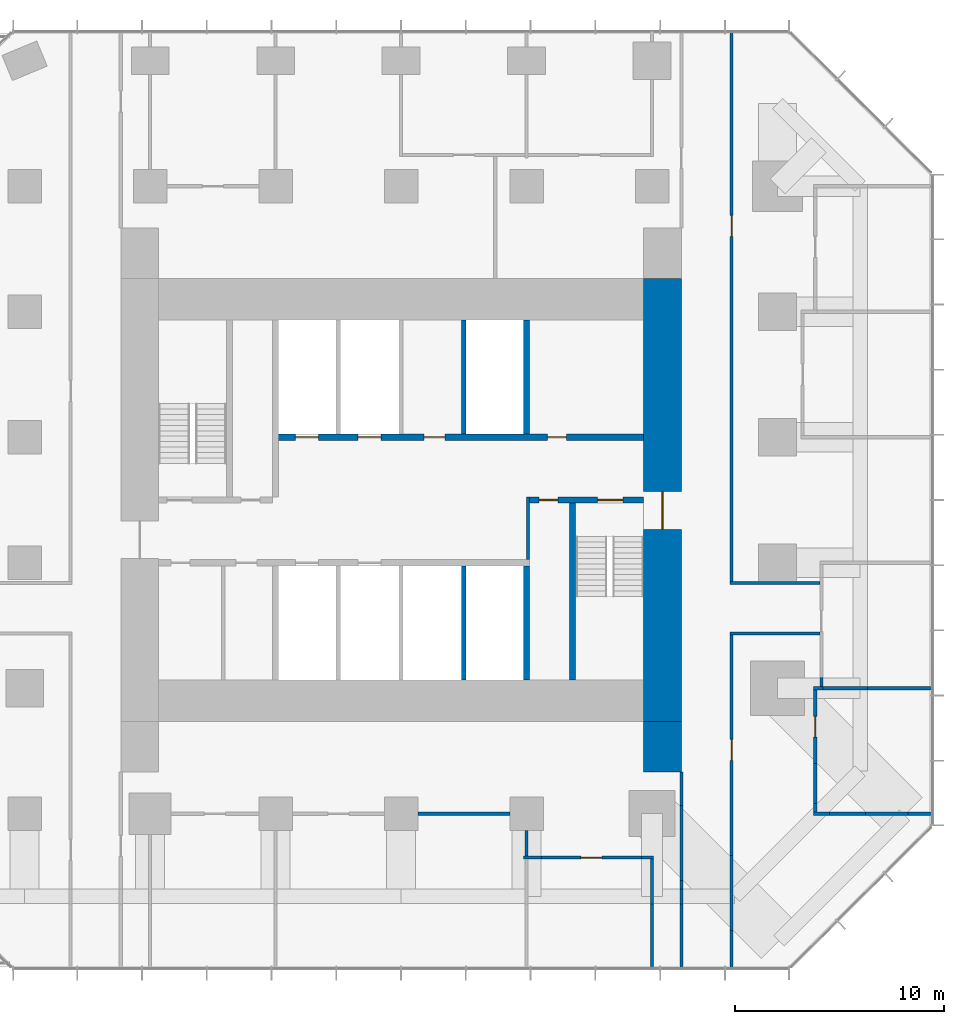
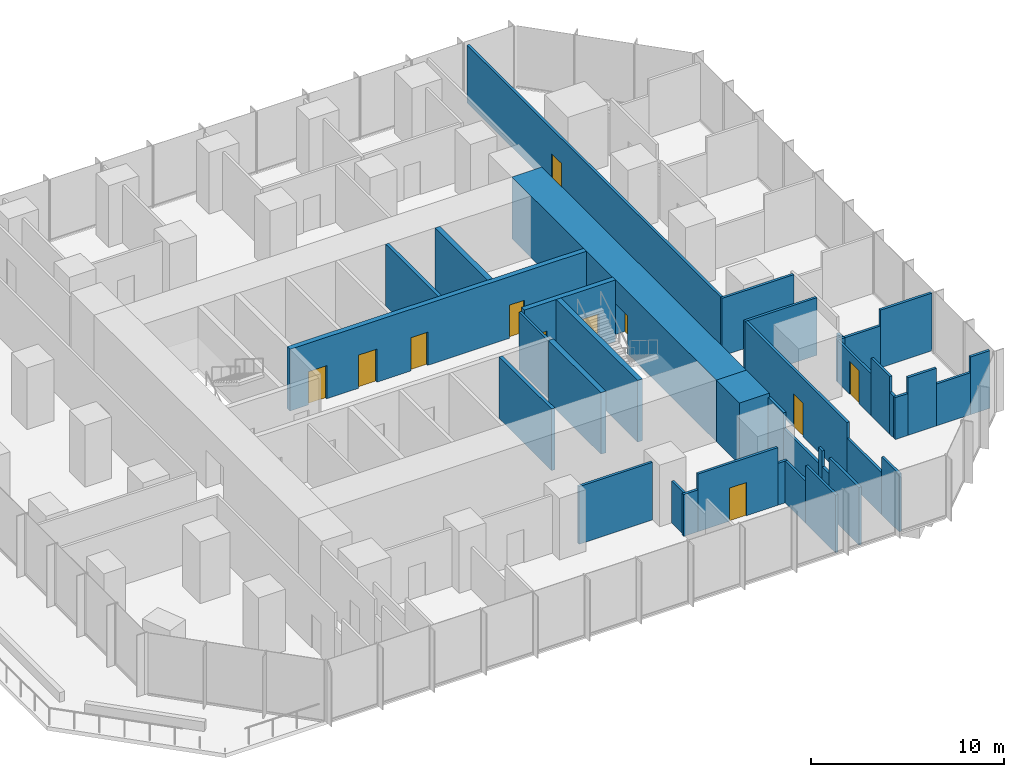
# One storey, part 9 of 11: 39 walls, 11 doors, 11 openings.
"""IFC4 building model written with IfcOpenShell, lengths in metres."""

import ifcopenshell
import ifcopenshell.guid

model = None  # the IFC model being written
_history = None  # IfcOwnerHistory: only IFC2X3 demands one
_inside = {}  # id of a spatial element -> (the spatial element, [elements in it])
_under = {}  # id of a project, library or spatial element -> (it, [spatial elements below it])
_declared = {}  # id of a project -> (the project, [libraries it declares])
_typed = {}  # id of a type object -> (the type object, [elements of that type])
_made_of = {}  # id of a material, layer set ... -> (it, [elements and type objects made of it])


def new_model(schema):
    """Start an empty IFC model of exactly this schema.

    Asked for "IFC4X3", IfcOpenShell would pick the latest addendum, in which some entities
    have other attributes; the version numbers below select the first issue.
    IFC2X3 requires an IfcOwnerHistory on every rooted entity: one is made here for all.
    """
    global model, _history
    if schema == "IFC4X3":
        model = ifcopenshell.file(schema_version=(4, 3, 0, 0))
    else:
        model = ifcopenshell.file(schema=schema)
    _inside.clear()
    _under.clear()
    _declared.clear()
    _typed.clear()
    _made_of.clear()
    _history = None
    if model.schema == "IFC2X3":
        org = make("IfcOrganization", Name="unknown")
        user = make(
            "IfcPersonAndOrganization",
            ThePerson=make("IfcPerson", FamilyName="unknown"),
            TheOrganization=org,
        )
        app = make(
            "IfcApplication",
            ApplicationDeveloper=org,
            Version="unknown",
            ApplicationFullName="unknown",
            ApplicationIdentifier="unknown",
        )
        _history = make(
            "IfcOwnerHistory",
            OwningUser=user,
            OwningApplication=app,
            ChangeAction="ADDED",
            CreationDate=0,
        )
    return model


def make(cls, **values):
    """One entity of the class cls with the attributes given. An attribute that is None is left unset."""
    return model.create_entity(
        cls, **{name: value for name, value in values.items() if value is not None}
    )


def rooted(cls, **values):
    """An entity with a GlobalId (a new one), such as an element, a storey or a relation."""
    return make(cls, GlobalId=ifcopenshell.guid.new(), OwnerHistory=_history, **values)


def si_unit(unit_type, name, prefix=None):
    """IfcSIUnit, for example si_unit("LENGTHUNIT", "METRE", prefix="MILLI")."""
    return make("IfcSIUnit", UnitType=unit_type, Prefix=prefix, Name=name)


def assignment(units):
    """IfcUnitAssignment: the units of a project."""
    return None if units is None else make("IfcUnitAssignment", Units=units)


def point(xyz):
    """IfcCartesianPoint."""
    return None if xyz is None else make("IfcCartesianPoint", Coordinates=xyz)


def direction(xyz):
    """IfcDirection."""
    return None if xyz is None else make("IfcDirection", DirectionRatios=xyz)


def frame(location, z_axis=None, x_axis=None):
    """IfcAxis2Placement3D, a coordinate frame: its origin and axes. An axis left out is left unset."""
    return make(
        "IfcAxis2Placement3D",
        Location=point(location),
        Axis=direction(z_axis),
        RefDirection=direction(x_axis),
    )


def frame_2d(location, x_axis=None):
    """IfcAxis2Placement2D, a coordinate frame in the plane: its origin and x axis."""
    return make(
        "IfcAxis2Placement2D", Location=point(location), RefDirection=direction(x_axis)
    )


def origin():
    """The frame at (0, 0, 0) with its axes left unset."""
    return frame((0.0, 0.0, 0.0))


def place(relative_to, where):
    """IfcLocalPlacement: puts the frame where relative to a parent placement (None: the world)."""
    return make(
        "IfcLocalPlacement", PlacementRelTo=relative_to, RelativePlacement=where
    )


def context(
    kind, dimensions, precision=None, world=None, true_north=None, identifier=None
):
    """IfcGeometricRepresentationContext, for example the 3D "Model" context."""
    return make(
        "IfcGeometricRepresentationContext",
        ContextIdentifier=identifier,
        ContextType=kind,
        CoordinateSpaceDimension=dimensions,
        Precision=precision,
        WorldCoordinateSystem=world,
        TrueNorth=true_north,
    )


def subcontext(parent, identifier, kind, view, scale=None):
    """IfcGeometricRepresentationSubContext, for example "Body" below "Model"."""
    return make(
        "IfcGeometricRepresentationSubContext",
        ContextIdentifier=identifier,
        ContextType=kind,
        ParentContext=parent,
        TargetScale=scale,
        TargetView=view,
    )


def project(units=None, contexts=None):
    """IfcProject with its units and contexts."""
    return rooted(
        "IfcProject",
        Name="project",
        RepresentationContexts=contexts,
        UnitsInContext=assignment(units),
    )


def spatial(cls, under=None, at=None, **own):
    """A site, building, storey or space (cls), placed at a placement, below another one or the project."""
    s = rooted(cls, ObjectPlacement=at, **own)
    if under is not None:
        _under.setdefault(under.id(), (under, []))[1].append(s)
    return s


def profile(cls, at=None, kind="AREA", **sizes):
    """A parametric profile (cls). Its sizes go by their IFC names, for example OverallWidth=200.0."""
    return make(cls, ProfileType=kind, Position=at, **sizes)


def rectangle(**sizes):
    """IfcRectangleProfileDef."""
    return profile("IfcRectangleProfileDef", **sizes)


def extrude(swept, where, along, depth):
    """IfcExtrudedAreaSolid: the profile swept, set in the frame where, extruded along a direction by depth."""
    return make(
        "IfcExtrudedAreaSolid",
        SweptArea=swept,
        Position=where,
        ExtrudedDirection=direction(along),
        Depth=depth,
    )


def shape(context_of_items, identifier, shape_type, items):
    """IfcShapeRepresentation: the items that make up one representation, for example the "Body"."""
    return make(
        "IfcShapeRepresentation",
        ContextOfItems=context_of_items,
        RepresentationIdentifier=identifier,
        RepresentationType=shape_type,
        Items=items,
    )


def material(Name=None, Category=None):
    """IfcMaterial."""
    return make("IfcMaterial", Name=Name, Category=Category)


def layer(
    of_material, thickness, ventilated=None, Name=None, Category=None, Priority=None
):
    """IfcMaterialLayer: one layer of a wall or slab, of a material (None: an air gap)."""
    return make(
        "IfcMaterialLayer",
        Material=of_material,
        LayerThickness=thickness,
        IsVentilated=ventilated,
        Name=Name,
        Category=Category,
        Priority=Priority,
    )


def layer_set(layers, Name=None):
    """IfcMaterialLayerSet."""
    return make("IfcMaterialLayerSet", MaterialLayers=layers, LayerSetName=Name)


def made_of(thing, what):
    """Note that an element or type object is made of a material, layer set ...; save() writes the relation."""
    if what is not None:
        _made_of.setdefault(what.id(), (what, []))[1].append(thing)
    return thing


def type_object(cls, material=None, **own):
    """A type object (cls), such as IfcWallType, which elements share."""
    return made_of(rooted(cls, **own), material)


def element(
    cls,
    number,
    at=None,
    inside=None,
    cuts=None,
    type_object=None,
    material=None,
    context=None,
    identifier="Body",
    shape_type=None,
    held_by="IfcProductDefinitionShape",
    body=None,
    shapes=None,
    **own,
):
    """One element of the class cls, such as IfcWall. Its Tag is "e" and its number.

    at: its placement. inside: the storey or other place that contains it. cuts: it is an
    opening in that element (IfcRelVoidsElement). A single representation is given by context,
    identifier, shape_type and body (its items); several are given by shapes. held_by: the class
    of the entity that holds the representations. save() writes the other relations.
    """
    e = rooted(cls, Tag="e%d" % number, ObjectPlacement=at, **own)
    if body is not None:
        shapes = [shape(context, identifier, shape_type, body)]
    if shapes is not None:
        e.Representation = make(held_by, Representations=shapes)
    if inside is not None:
        _inside.setdefault(inside.id(), (inside, []))[1].append(e)
    if cuts is not None:
        rooted(
            "IfcRelVoidsElement", RelatingBuildingElement=cuts, RelatedOpeningElement=e
        )
    if type_object is not None:
        _typed.setdefault(type_object.id(), (type_object, []))[1].append(e)
    return made_of(e, material)


def fill(opening, filler):
    """IfcRelFillsElement: the door or window that sits in an opening."""
    return rooted(
        "IfcRelFillsElement",
        RelatingOpeningElement=opening,
        RelatedBuildingElement=filler,
    )


def aggregate(whole, parts):
    """IfcRelAggregates: a whole, such as a stair, and the parts it consists of."""
    return rooted("IfcRelAggregates", RelatingObject=whole, RelatedObjects=parts)


def save(model, path):
    """Write the relations noted so far, then the file.

    IfcRelAggregates (storeys below a building ...), IfcRelContainedInSpatialStructure (elements
    in a storey), IfcRelDefinesByType, IfcRelAssociatesMaterial and IfcRelDeclares: one each for
    every whole, place, type object, material and project.
    """
    for whole, parts in _under.values():
        aggregate(whole, parts)
    for where, things in _inside.values():
        rooted(
            "IfcRelContainedInSpatialStructure",
            RelatedElements=things,
            RelatingStructure=where,
        )
    for kind, things in _typed.values():
        rooted("IfcRelDefinesByType", RelatedObjects=things, RelatingType=kind)
    for what, things in _made_of.values():
        rooted("IfcRelAssociatesMaterial", RelatedObjects=things, RelatingMaterial=what)
    for by, libraries in _declared.values():
        rooted("IfcRelDeclares", RelatingContext=by, RelatedDefinitions=libraries)
    model.write(path)


model = new_model("IFC4")

# Units and contexts
model_context = context("Model", 3, precision=1e-05, world=origin(), true_north=direction((0.0, 1.0)))
body_context = subcontext(model_context, "Body", "Model", "MODEL_VIEW")
ifc_project = project(units=[si_unit("LENGTHUNIT", "METRE"), si_unit("AREAUNIT", "SQUARE_METRE"), si_unit("VOLUMEUNIT", "CUBIC_METRE"), si_unit("PLANEANGLEUNIT", "RADIAN"), si_unit("MASSUNIT", "GRAM", prefix="KILO")], contexts=[model_context])

# Site, building, storey
site_placement = place(None, origin())
site = spatial("IfcSite", under=ifc_project, at=site_placement, CompositionType="ELEMENT")
building_placement = place(site_placement, origin())
building = spatial("IfcBuilding", under=site, at=building_placement, Name="Highveld Stack Headquarters", CompositionType="ELEMENT")
storey_placement = place(building_placement, frame((0.0, 0.0, 140.60009765625)))
storey = spatial("IfcBuildingStorey", under=building, at=storey_placement, Name="L34", CompositionType="ELEMENT", Elevation=140.60009765625)

# Wall, opening, door
ifc_material_1 = material(Name="Concrete C60/75", Category="concrete")
ifc_layer_1 = layer(ifc_material_1, 1.800048828125)
ifc_layer_set_1 = layer_set([ifc_layer_1], Name="Concrete C60/75")
wall_type_1 = type_object("IfcWallType", Name="CORE WALL 1800 C60/75", PredefinedType="SHEAR", material=ifc_layer_set_1)
wall_1_placement = place(storey_placement, frame((18.5, -7.60009765625, 0.0), z_axis=(0.0, 0.0, 1.0), x_axis=(0.0, 1.0, 0.0)))
wall_1 = element("IfcWall", 1, at=wall_1_placement, inside=storey, type_object=wall_type_1, Name="Core wall E L34", PredefinedType="SHEAR", context=body_context, shape_type="SweptSolid", body=[
    extrude(rectangle(XDim=21.2001953125, YDim=1.800048828125, at=frame_2d((10.60009765625, 0.0))), origin(), (0.0, 0.0, 1.0), 3.89990234375),
])
opening_1_placement = place(wall_1_placement, frame((9.199951171875, 0.0, 0.0)))
opening_1 = element("IfcOpeningElement", 2, at=opening_1_placement, cuts=wall_1, Name="Opening L34-03", PredefinedType="OPENING", context=body_context, shape_type="SweptSolid", body=[
    extrude(rectangle(XDim=1.800048828125, YDim=2.39990234375, at=frame_2d((0.89990234375, 1.199951171875))), frame((0.0, 0.909912109375, 0.0), z_axis=(0.0, -1.0, 0.0), x_axis=(1.0, 0.0, 0.0)), (0.0, 0.0, 1.0), 1.820068359375),
])
ifc_material_2 = material(Name="Steel fire door", Category="steel")
door_type_1 = type_object("IfcDoorType", Name="LOBBY FIRE DOOR D4 1800x2400", OperationType="DOUBLE_DOOR_SINGLE_SWING", PredefinedType="DOOR", material=ifc_material_2)
door_1_placement = place(opening_1_placement, origin())
door_1 = element("IfcDoor", 3, at=door_1_placement, inside=storey, type_object=door_type_1, Name="Core east door L34", OperationType="DOUBLE_DOOR_SINGLE_SWING", OverallHeight=2.39990234375, OverallWidth=1.800048828125, PredefinedType="DOOR", context=body_context, shape_type="SweptSolid", body=[
    extrude(rectangle(XDim=1.800048828125, YDim=2.39990234375, at=frame_2d((0.89990234375, 1.199951171875))), frame((0.0, 0.02490234375, 0.0), z_axis=(0.0, -1.0, 0.0), x_axis=(1.0, 0.0, 0.0)), (0.0, 0.0, 1.0), 0.050048828125),
])
fill(opening_1, door_1)

# Wall, openings, doors
ifc_material_3 = material(Name="Concrete C60/75", Category="concrete")
ifc_layer_2 = layer(ifc_material_3, 0.300048828125)
ifc_layer_set_2 = layer_set([ifc_layer_2], Name="Concrete C60/75")
wall_type_2 = type_object("IfcWallType", Name="CORE WALL 300 C60/75", PredefinedType="SHEAR", material=ifc_layer_set_2)
wall_2_placement = place(storey_placement, frame((12.14990234375, 3.0, 0.0), z_axis=(0.0, 0.0, 1.0), x_axis=(1.0, 0.0, 0.0)))
wall_2 = element("IfcWall", 4, at=wall_2_placement, inside=storey, type_object=wall_type_2, Name="Core wall I-Y3E L34", PredefinedType="SHEAR", context=body_context, shape_type="SweptSolid", body=[
    extrude(rectangle(XDim=5.4501953125, YDim=0.300048828125, at=frame_2d((2.72509765625, 0.0))), origin(), (0.0, 0.0, 1.0), 3.89990234375),
])
opening_2_placement = place(wall_2_placement, frame((3.25, 0.0, 0.0)))
opening_2 = element("IfcOpeningElement", 5, at=opening_2_placement, cuts=wall_2, Name="Opening L34-06", PredefinedType="OPENING", context=body_context, shape_type="SweptSolid", body=[
    extrude(rectangle(XDim=1.199951171875, YDim=2.10009765625, at=frame_2d((0.60009765625, 1.050048828125))), frame((0.0, 0.159912109375, 0.0), z_axis=(0.0, -1.0, 0.0), x_axis=(1.0, 0.0, 0.0)), (0.0, 0.0, 1.0), 0.320068359375),
])
opening_3_placement = place(wall_2_placement, frame((0.449951171875, 0.0, 0.0)))
opening_3 = element("IfcOpeningElement", 6, at=opening_3_placement, cuts=wall_2, Name="Opening L34-07", PredefinedType="OPENING", context=body_context, shape_type="SweptSolid", body=[
    extrude(rectangle(XDim=0.89990234375, YDim=2.10009765625, at=frame_2d((0.449951171875, 1.050048828125))), frame((0.0, 0.159912109375, 0.0), z_axis=(0.0, -1.0, 0.0), x_axis=(1.0, 0.0, 0.0)), (0.0, 0.0, 1.0), 0.320068359375),
])
ifc_material_4 = material(Name="Steel fire door", Category="steel")
door_type_2 = type_object("IfcDoorType", Name="RISER ACCESS DOOR D5 900x2100", OperationType="SINGLE_SWING_LEFT", PredefinedType="DOOR", material=ifc_material_4)
door_2_placement = place(opening_3_placement, origin())
door_2 = element("IfcDoor", 7, at=door_2_placement, inside=storey, type_object=door_type_2, Name="Riser R2 door L34", OperationType="SINGLE_SWING_LEFT", OverallHeight=2.10009765625, OverallWidth=0.89990234375, PredefinedType="DOOR", context=body_context, shape_type="SweptSolid", body=[
    extrude(rectangle(XDim=0.89990234375, YDim=2.10009765625, at=frame_2d((0.449951171875, 1.050048828125))), frame((0.0, 0.02490234375, 0.0), z_axis=(0.0, -1.0, 0.0), x_axis=(1.0, 0.0, 0.0)), (0.0, 0.0, 1.0), 0.050048828125),
])
fill(opening_3, door_2)
ifc_material_5 = material(Name="Steel fire door", Category="steel")
door_type_3 = type_object("IfcDoorType", Name="STAIR FIRE DOOR D3 1200x2100", OperationType="SINGLE_SWING_LEFT", PredefinedType="DOOR", material=ifc_material_5)
door_3_placement = place(opening_2_placement, origin())
door_3 = element("IfcDoor", 8, at=door_3_placement, inside=storey, type_object=door_type_3, Name="Stair S2 door L34", OperationType="SINGLE_SWING_RIGHT", OverallHeight=2.10009765625, OverallWidth=1.199951171875, PredefinedType="DOOR", context=body_context, shape_type="SweptSolid", body=[
    extrude(rectangle(XDim=1.199951171875, YDim=2.10009765625, at=frame_2d((0.60009765625, 1.050048828125))), frame((0.0, 0.02490234375, 0.0), z_axis=(0.0, -1.0, 0.0), x_axis=(1.0, 0.0, 0.0)), (0.0, 0.0, 1.0), 0.050048828125),
])
fill(opening_2, door_3)

wall_3_placement = place(storey_placement, frame((-0.14990234375, 6.0, 0.0), z_axis=(0.0, 0.0, 1.0), x_axis=(1.0, 0.0, 0.0)))
wall_3 = element("IfcWall", 9, at=wall_3_placement, inside=storey, type_object=wall_type_2, Name="Core wall I-Y6 L34", PredefinedType="SHEAR", context=body_context, shape_type="SweptSolid", body=[
    extrude(rectangle(XDim=17.75, YDim=0.300048828125, at=frame_2d((8.875, 0.0))), origin(), (0.0, 0.0, 1.0), 3.89990234375),
])
opening_4_placement = place(wall_3_placement, frame((13.14990234375, 0.0, 0.0)))
opening_4 = element("IfcOpeningElement", 10, at=opening_4_placement, cuts=wall_3, Name="Opening L34-10", PredefinedType="OPENING", context=body_context, shape_type="SweptSolid", body=[
    extrude(rectangle(XDim=0.89990234375, YDim=2.10009765625, at=frame_2d((0.449951171875, 1.050048828125))), frame((0.0, 0.159912109375, 0.0), z_axis=(0.0, -1.0, 0.0), x_axis=(1.0, 0.0, 0.0)), (0.0, 0.0, 1.0), 0.320068359375),
])
opening_5_placement = place(wall_3_placement, frame((7.25, 0.0, 0.0)))
opening_5 = element("IfcOpeningElement", 11, at=opening_5_placement, cuts=wall_3, Name="Opening L34-11", PredefinedType="OPENING", context=body_context, shape_type="SweptSolid", body=[
    extrude(rectangle(XDim=1.0, YDim=2.10009765625, at=frame_2d((0.5, 1.050048828125))), frame((0.0, 0.159912109375, 0.0), z_axis=(0.0, -1.0, 0.0), x_axis=(1.0, 0.0, 0.0)), (0.0, 0.0, 1.0), 0.320068359375),
])
opening_6_placement = place(wall_3_placement, frame((1.10009765625, 0.0, 0.0)))
opening_6 = element("IfcOpeningElement", 12, at=opening_6_placement, cuts=wall_3, Name="Opening LD", PredefinedType="OPENING", context=body_context, shape_type="SweptSolid", body=[
    extrude(rectangle(XDim=1.10009765625, YDim=2.10009765625, at=frame_2d((0.550048828125, 1.050048828125))), frame((0.0, 0.159912109375, 0.0), z_axis=(0.0, -1.0, 0.0), x_axis=(1.0, 0.0, 0.0)), (0.0, 0.0, 1.0), 0.320068359375),
])
opening_7_placement = place(wall_3_placement, frame((4.10009765625, 0.0, 0.0)))
opening_7 = element("IfcOpeningElement", 13, at=opening_7_placement, cuts=wall_3, Name="Opening LD", PredefinedType="OPENING", context=body_context, shape_type="SweptSolid", body=[
    extrude(rectangle(XDim=1.10009765625, YDim=2.10009765625, at=frame_2d((0.550048828125, 1.050048828125))), frame((0.0, 0.159912109375, 0.0), z_axis=(0.0, -1.0, 0.0), x_axis=(1.0, 0.0, 0.0)), (0.0, 0.0, 1.0), 0.320068359375),
])
ifc_material_6 = material(Name="Steel fire door", Category="steel")
door_type_4 = type_object("IfcDoorType", Name="CORE ROOM FIRE DOOR D14 1000x2100", OperationType="SINGLE_SWING_LEFT", PredefinedType="DOOR", material=ifc_material_6)
door_4_placement = place(opening_5_placement, origin())
door_4 = element("IfcDoor", 14, at=door_4_placement, inside=storey, type_object=door_type_4, Name="Capped A 1 door L34", OperationType="SINGLE_SWING_LEFT", OverallHeight=2.10009765625, OverallWidth=1.0, PredefinedType="DOOR", context=body_context, shape_type="SweptSolid", body=[
    extrude(rectangle(XDim=1.0, YDim=2.10009765625, at=frame_2d((0.5, 1.050048828125))), frame((0.0, 0.02490234375, 0.0), z_axis=(0.0, -1.0, 0.0), x_axis=(1.0, 0.0, 0.0)), (0.0, 0.0, 1.0), 0.050048828125),
])
fill(opening_5, door_4)
ifc_material_7 = material(Name="Stainless steel lift landing door", Category="steel")
door_type_5 = type_object("IfcDoorType", Name="LIFT LANDING DOOR LD 1100x2100", OperationType="DOUBLE_DOOR_SLIDING", PredefinedType="USERDEFINED", material=ifc_material_7)
door_5_placement = place(opening_6_placement, origin())
door_5 = element("IfcDoor", 15, at=door_5_placement, inside=storey, type_object=door_type_5, Name="Lift landing door FF1 L34", ObjectType="LIFT LANDING DOOR", OperationType="DOUBLE_DOOR_SLIDING", OverallHeight=2.10009765625, OverallWidth=1.10009765625, PredefinedType="USERDEFINED", context=body_context, shape_type="SweptSolid", body=[
    extrude(rectangle(XDim=1.10009765625, YDim=2.10009765625, at=frame_2d((0.550048828125, 1.050048828125))), frame((0.0, 0.02490234375, 0.0), z_axis=(0.0, -1.0, 0.0), x_axis=(1.0, 0.0, 0.0)), (0.0, 0.0, 1.0), 0.050048828125),
])
fill(opening_6, door_5)
door_6_placement = place(opening_7_placement, origin())
door_6 = element("IfcDoor", 16, at=door_6_placement, inside=storey, type_object=door_type_5, Name="Lift landing door FF2 L34", ObjectType="LIFT LANDING DOOR", OperationType="DOUBLE_DOOR_SLIDING", OverallHeight=2.10009765625, OverallWidth=1.10009765625, PredefinedType="USERDEFINED", context=body_context, shape_type="SweptSolid", body=[
    extrude(rectangle(XDim=1.10009765625, YDim=2.10009765625, at=frame_2d((0.550048828125, 1.050048828125))), frame((0.0, 0.02490234375, 0.0), z_axis=(0.0, -1.0, 0.0), x_axis=(1.0, 0.0, 0.0)), (0.0, 0.0, 1.0), 0.050048828125),
])
fill(opening_7, door_6)
ifc_material_8 = material(Name="Timber door, painted", Category="wood")
door_type_6 = type_object("IfcDoorType", Name="WC DOOR D1 900x2100", OperationType="SINGLE_SWING_LEFT", PredefinedType="DOOR", material=ifc_material_8)
door_7_placement = place(opening_4_placement, origin())
door_7 = element("IfcDoor", 17, at=door_7_placement, inside=storey, type_object=door_type_6, Name="Male WC door L34", OperationType="SINGLE_SWING_RIGHT", OverallHeight=2.10009765625, OverallWidth=0.89990234375, PredefinedType="DOOR", context=body_context, shape_type="SweptSolid", body=[
    extrude(rectangle(XDim=0.89990234375, YDim=2.10009765625, at=frame_2d((0.449951171875, 1.050048828125))), frame((0.0, 0.02490234375, 0.0), z_axis=(0.0, -1.0, 0.0), x_axis=(1.0, 0.0, 0.0)), (0.0, 0.0, 1.0), 0.050048828125),
])
fill(opening_4, door_7)

# Walls
for number, where, z_axis, x_axis, name in (
    (18, (12.0, -5.60009765625, 0.0), (0.0, 0.0, 1.0), (0.0, 1.0, 0.0), "Core wall I-X12S L34"),
    (19, (12.0, 6.14990234375, 0.0), (0.0, 0.0, 1.0), (0.0, 1.0, 0.0), "Core wall I-X12N L34"),
):
    element("IfcWall", number, at=place(storey_placement, frame(where, z_axis=z_axis, x_axis=x_axis)), inside=storey, type_object=wall_type_2, Name=name, PredefinedType="SHEAR", context=body_context, shape_type="SweptSolid", body=[
        extrude(rectangle(XDim=5.4501953125, YDim=0.300048828125, at=frame_2d((2.72509765625, 0.0))), origin(), (0.0, 0.0, 1.0), 3.89990234375),
    ])
wall_4_placement = place(storey_placement, frame((14.199951171875, -5.60009765625, 0.0), z_axis=(0.0, 0.0, 1.0), x_axis=(0.0, 1.0, 0.0)))
element("IfcWall", 20, at=wall_4_placement, inside=storey, type_object=wall_type_2, Name="Core wall I-RE L34", PredefinedType="SHEAR", context=body_context, shape_type="SweptSolid", body=[
    extrude(rectangle(XDim=8.4501953125, YDim=0.300048828125, at=frame_2d((4.22509765625, 0.0))), origin(), (0.0, 0.0, 1.0), 3.89990234375),
])
ifc_material_9 = material(Name="Concrete C60/75", Category="concrete")
ifc_layer_3 = layer(ifc_material_9, 1.800048828125)
ifc_layer_set_3 = layer_set([ifc_layer_3], Name="Concrete C60/75")
wall_type_3 = type_object("IfcWallType", Name="CORE WING WALL 1800 C60/75", PredefinedType="SHEAR", material=ifc_layer_set_3)
wall_5_placement = place(storey_placement, frame((18.5, -10.0, 0.0), z_axis=(0.0, 0.0, 1.0), x_axis=(0.0, 1.0, 0.0)))
element("IfcWall", 21, at=wall_5_placement, inside=storey, type_object=wall_type_3, Name="Core wing wall ES L34", PredefinedType="SHEAR", context=body_context, shape_type="SweptSolid", body=[
    extrude(rectangle(XDim=2.39990234375, YDim=1.800048828125, at=frame_2d((1.199951171875, 0.0))), origin(), (0.0, 0.0, 1.0), 3.89990234375),
])
ifc_material_10 = material(Name="Concrete blockwork, plastered", Category="masonry")
ifc_layer_4 = layer(ifc_material_10, 0.14990234375)
ifc_layer_set_4 = layer_set([ifc_layer_4], Name="Concrete blockwork, plastered")
wall_type_4 = type_object("IfcWallType", Name="FIRE PARTITION 150 BLOCKWORK", PredefinedType="PARTITIONING", material=ifc_layer_set_4)
wall_6_placement = place(storey_placement, frame((12.074951171875, 0.14990234375, 0.0), z_axis=(0.0, 0.0, 1.0), x_axis=(0.0, 1.0, 0.0)))
element("IfcWall", 22, at=wall_6_placement, inside=storey, type_object=wall_type_4, Name="Riser R2 enclosure L34", PredefinedType="PARTITIONING", context=body_context, shape_type="SweptSolid", body=[
    extrude(rectangle(XDim=3.0, YDim=0.14990234375, at=frame_2d((1.5, 0.0))), origin(), (0.0, 0.0, 1.0), 3.64990234375),
])
ifc_material_11 = material(Name="Concrete blockwork, fair-faced", Category="masonry")
ifc_layer_5 = layer(ifc_material_11, 0.199951171875)
ifc_layer_set_5 = layer_set([ifc_layer_5], Name="Concrete blockwork, fair-faced")
wall_type_5 = type_object("IfcWallType", Name="LIFT SHAFT ENCLOSURE WALL 200 BLOCKWORK", PredefinedType="SOLIDWALL", material=ifc_layer_set_5)
for number, where, z_axis, x_axis, name in (
    (23, (9.0, 6.14990234375, 0.0), (0.0, 0.0, 1.0), (0.0, 1.0, 0.0), "Lift shaft wall L34"),
    (24, (9.0, -5.60009765625, 0.0), (0.0, 0.0, 1.0), (0.0, 1.0, 0.0), "Lift shaft wall L34"),
):
    element("IfcWall", number, at=place(storey_placement, frame(where, z_axis=z_axis, x_axis=x_axis)), inside=storey, type_object=wall_type_5, Name=name, PredefinedType="SOLIDWALL", context=body_context, shape_type="SweptSolid", body=[
        extrude(rectangle(XDim=5.4501953125, YDim=0.199951171875, at=frame_2d((2.72509765625, 0.0))), origin(), (0.0, 0.0, 1.0), 3.89990234375),
    ])
ifc_material_12 = material(Name="Gypsum plasterboard on steel studs", Category="steel")
ifc_layer_6 = layer(ifc_material_12, 0.14990234375)
ifc_layer_set_6 = layer_set([ifc_layer_6], Name="Gypsum plasterboard on steel studs")
wall_type_6 = type_object("IfcWallType", Name="PARTITION 150 PLASTERBOARD", PredefinedType="PARTITIONING", material=ifc_layer_set_6)
wall_7_placement = place(storey_placement, frame((11.85009765625, -14.10009765625, 0.0), z_axis=(0.0, 0.0, 1.0), x_axis=(1.0, 0.0, 0.0)))
element("IfcWall", 25, at=wall_7_placement, inside=storey, type_object=wall_type_6, Name="Partition Focus room L34", PredefinedType="PARTITIONING", context=body_context, shape_type="SweptSolid", body=[
    extrude(rectangle(XDim=0.85986328125, YDim=0.14990234375, at=frame_2d((0.429931640625, 0.0))), origin(), (0.0, 0.0, 1.0), 2.64990234375),
])

# Wall, opening, door
wall_8_placement = place(storey_placement, frame((12.7099609375, -14.10009765625, 0.0), z_axis=(0.0, 0.0, 1.0), x_axis=(1.0, 0.0, 0.0)))
wall_8 = element("IfcWall", 26, at=wall_8_placement, inside=storey, type_object=wall_type_6, Name="Partition Focus room L34", PredefinedType="PARTITIONING", context=body_context, shape_type="SweptSolid", body=[
    extrude(rectangle(XDim=4.780029296875, YDim=0.14990234375, at=frame_2d((2.39013671875, 0.0))), origin(), (0.0, 0.0, 1.0), 3.64990234375),
])
opening_8_placement = place(wall_8_placement, frame((1.889892578125, 0.0, 0.0)))
opening_8 = element("IfcOpeningElement", 27, at=opening_8_placement, cuts=wall_8, Name="Opening L34-14", PredefinedType="OPENING", context=body_context, shape_type="SweptSolid", body=[
    extrude(rectangle(XDim=1.0, YDim=2.10009765625, at=frame_2d((0.5, 1.050048828125))), frame((0.0, 0.0849609375, 0.0), z_axis=(0.0, -1.0, 0.0), x_axis=(1.0, 0.0, 0.0)), (0.0, 0.0, 1.0), 0.169921875),
])
ifc_material_13 = material(Name="Timber door, oiled ash", Category="wood")
door_type_7 = type_object("IfcDoorType", Name="ROOM DOOR D6 1000x2100", OperationType="SINGLE_SWING_LEFT", PredefinedType="DOOR", material=ifc_material_13)
door_8_placement = place(opening_8_placement, origin())
door_8 = element("IfcDoor", 28, at=door_8_placement, inside=storey, type_object=door_type_7, Name="Focus room door 1 L34", OperationType="SINGLE_SWING_LEFT", OverallHeight=2.10009765625, OverallWidth=1.0, PredefinedType="DOOR", context=body_context, shape_type="SweptSolid", body=[
    extrude(rectangle(XDim=1.0, YDim=2.10009765625, at=frame_2d((0.5, 1.050048828125))), frame((0.0, 0.02490234375, 0.0), z_axis=(0.0, -1.0, 0.0), x_axis=(1.0, 0.0, 0.0)), (0.0, 0.0, 1.0), 0.050048828125),
])
fill(opening_8, door_8)

# Walls
wall_9_placement = place(storey_placement, frame((17.489990234375, -14.10009765625, 0.0), z_axis=(0.0, 0.0, 1.0), x_axis=(1.0, 0.0, 0.0)))
element("IfcWall", 29, at=wall_9_placement, inside=storey, type_object=wall_type_6, Name="Partition Focus room L34", PredefinedType="PARTITIONING", context=body_context, shape_type="SweptSolid", body=[
    extrude(rectangle(XDim=0.5849609375, YDim=0.14990234375, at=frame_2d((0.29248046875, 0.0))), origin(), (0.0, 0.0, 1.0), 2.64990234375),
])
wall_10_placement = place(storey_placement, frame((6.800048828125, -12.0, 0.0), z_axis=(0.0, 0.0, 1.0), x_axis=(1.0, 0.0, 0.0)))
element("IfcWall", 30, at=wall_10_placement, inside=storey, type_object=wall_type_6, Name="Partition Team office L34", PredefinedType="PARTITIONING", context=body_context, shape_type="SweptSolid", body=[
    extrude(rectangle(XDim=4.39990234375, YDim=0.14990234375, at=frame_2d((2.199951171875, 0.0))), origin(), (0.0, 0.0, 1.0), 3.64990234375),
])
wall_11_placement = place(storey_placement, frame((25.72509765625, -12.0, 0.0), z_axis=(0.0, 0.0, 1.0), x_axis=(1.0, 0.0, 0.0)))
element("IfcWall", 31, at=wall_11_placement, inside=storey, type_object=wall_type_6, Name="Partition Print room L34", PredefinedType="PARTITIONING", context=body_context, shape_type="SweptSolid", body=[
    extrude(rectangle(XDim=0.764892578125, YDim=0.14990234375, at=frame_2d((0.38232421875, 0.0))), origin(), (0.0, 0.0, 1.0), 2.64990234375),
])
wall_12_placement = place(storey_placement, frame((26.489990234375, -12.0, 0.0), z_axis=(0.0, 0.0, 1.0), x_axis=(1.0, 0.0, 0.0)))
element("IfcWall", 32, at=wall_12_placement, inside=storey, type_object=wall_type_6, Name="Partition Print room L34", PredefinedType="PARTITIONING", context=body_context, shape_type="SweptSolid", body=[
    extrude(rectangle(XDim=1.718017578125, YDim=0.14990234375, at=frame_2d((0.85888671875, 0.0))), origin(), (0.0, 0.0, 1.0), 3.64990234375),
])
wall_13_placement = place(storey_placement, frame((28.2080078125, -12.0, 0.0), z_axis=(0.0, 0.0, 1.0), x_axis=(1.0, 0.0, 0.0)))
element("IfcWall", 33, at=wall_13_placement, inside=storey, type_object=wall_type_6, Name="Partition Print room L34", PredefinedType="PARTITIONING", context=body_context, shape_type="SweptSolid", body=[
    extrude(rectangle(XDim=2.029052734375, YDim=0.14990234375, at=frame_2d((1.0146484375, 0.0))), origin(), (0.0, 0.0, 1.0), 2.64990234375),
])
wall_14_placement = place(storey_placement, frame((30.237060546875, -12.0, 0.0), z_axis=(0.0, 0.0, 1.0), x_axis=(1.0, 0.0, 0.0)))
element("IfcWall", 34, at=wall_14_placement, inside=storey, type_object=wall_type_6, Name="Partition Print room L34", PredefinedType="PARTITIONING", context=body_context, shape_type="SweptSolid", body=[
    extrude(rectangle(XDim=1.162841796875, YDim=0.14990234375, at=frame_2d((0.58154296875, 0.0))), origin(), (0.0, 0.0, 1.0), 3.64990234375),
])
wall_15_placement = place(storey_placement, frame((25.72509765625, -6.0, 0.0), z_axis=(0.0, 0.0, 1.0), x_axis=(1.0, 0.0, 0.0)))
element("IfcWall", 35, at=wall_15_placement, inside=storey, type_object=wall_type_6, Name="Partition Print room L34", PredefinedType="PARTITIONING", context=body_context, shape_type="SweptSolid", body=[
    extrude(rectangle(XDim=0.449951171875, YDim=0.14990234375, at=frame_2d((0.22509765625, 0.0))), origin(), (0.0, 0.0, 1.0), 2.64990234375),
])
wall_16_placement = place(storey_placement, frame((26.10009765625, -6.0, 0.0), z_axis=(0.0, 0.0, 1.0), x_axis=(1.0, 0.0, 0.0)))
element("IfcWall", 36, at=wall_16_placement, inside=storey, type_object=wall_type_6, Name="Partition Focus room / Print room L34", PredefinedType="PARTITIONING", context=body_context, shape_type="SweptSolid", body=[
    extrude(rectangle(XDim=2.2099609375, YDim=0.14990234375, at=frame_2d((1.10498046875, 0.0))), origin(), (0.0, 0.0, 1.0), 2.64990234375),
])
wall_17_placement = place(storey_placement, frame((28.31005859375, -6.0, 0.0), z_axis=(0.0, 0.0, 1.0), x_axis=(1.0, 0.0, 0.0)))
element("IfcWall", 37, at=wall_17_placement, inside=storey, type_object=wall_type_6, Name="Partition Focus room / Print room L34", PredefinedType="PARTITIONING", context=body_context, shape_type="SweptSolid", body=[
    extrude(rectangle(XDim=3.08984375, YDim=0.14990234375, at=frame_2d((1.544921875, 0.0))), origin(), (0.0, 0.0, 1.0), 3.64990234375),
])
wall_18_placement = place(storey_placement, frame((12.0, -14.02490234375, 0.0), z_axis=(0.0, 0.0, 1.0), x_axis=(0.0, 1.0, 0.0)))
element("IfcWall", 38, at=wall_18_placement, inside=storey, type_object=wall_type_6, Name="Partition Team office L34", PredefinedType="PARTITIONING", context=body_context, shape_type="SweptSolid", body=[
    extrude(rectangle(XDim=1.224853515625, YDim=0.14990234375, at=frame_2d((0.6123046875, 0.0))), origin(), (0.0, 0.0, 1.0), 2.64990234375),
])
wall_19_placement = place(storey_placement, frame((18.0, -19.39990234375, 0.0), z_axis=(0.0, 0.0, 1.0), x_axis=(0.0, 1.0, 0.0)))
element("IfcWall", 39, at=wall_19_placement, inside=storey, type_object=wall_type_6, Name="Partition Focus room L34", PredefinedType="PARTITIONING", context=body_context, shape_type="SweptSolid", body=[
    extrude(rectangle(XDim=3.08984375, YDim=0.14990234375, at=frame_2d((1.544921875, 0.0))), origin(), (0.0, 0.0, 1.0), 3.64990234375),
])
wall_20_placement = place(storey_placement, frame((18.0, -16.31005859375, 0.0), z_axis=(0.0, 0.0, 1.0), x_axis=(0.0, 1.0, 0.0)))
element("IfcWall", 40, at=wall_20_placement, inside=storey, type_object=wall_type_6, Name="Partition Focus room L34", PredefinedType="PARTITIONING", context=body_context, shape_type="SweptSolid", body=[
    extrude(rectangle(XDim=2.135009765625, YDim=0.14990234375, at=frame_2d((1.0673828125, 0.0))), origin(), (0.0, 0.0, 1.0), 2.64990234375),
])
wall_21_placement = place(storey_placement, frame((25.800048828125, -11.925048828125, 0.0), z_axis=(0.0, 0.0, 1.0), x_axis=(0.0, 1.0, 0.0)))
element("IfcWall", 41, at=wall_21_placement, inside=storey, type_object=wall_type_6, Name="Partition Print room L34", PredefinedType="PARTITIONING", context=body_context, shape_type="SweptSolid", body=[
    extrude(rectangle(XDim=0.4150390625, YDim=0.14990234375, at=frame_2d((0.20751953125, 0.0))), origin(), (0.0, 0.0, 1.0), 2.64990234375),
])
wall_22_placement = place(storey_placement, frame((25.800048828125, -11.510009765625, 0.0), z_axis=(0.0, 0.0, 1.0), x_axis=(0.0, 1.0, 0.0)))
element("IfcWall", 42, at=wall_22_placement, inside=storey, type_object=wall_type_6, Name="Partition Print room L34", PredefinedType="PARTITIONING", context=body_context, shape_type="SweptSolid", body=[
    extrude(rectangle(XDim=1.91796875, YDim=0.14990234375, at=frame_2d((0.958984375, 0.0))), origin(), (0.0, 0.0, 1.0), 3.64990234375),
])

# Wall, opening, door
wall_23_placement = place(storey_placement, frame((25.800048828125, -9.592041015625, 0.0), z_axis=(0.0, 0.0, 1.0), x_axis=(0.0, 1.0, 0.0)))
wall_23 = element("IfcWall", 43, at=wall_23_placement, inside=storey, type_object=wall_type_6, Name="Partition Print room L34", PredefinedType="PARTITIONING", context=body_context, shape_type="SweptSolid", body=[
    extrude(rectangle(XDim=3.51708984375, YDim=0.14990234375, at=frame_2d((1.758544921875, 0.0))), origin(), (0.0, 0.0, 1.0), 2.64990234375),
])
opening_9_placement = place(wall_23_placement, frame((1.25, 0.0, 0.0)))
opening_9 = element("IfcOpeningElement", 44, at=opening_9_placement, cuts=wall_23, Name="Opening L34-15", PredefinedType="OPENING", context=body_context, shape_type="SweptSolid", body=[
    extrude(rectangle(XDim=1.0, YDim=2.10009765625, at=frame_2d((0.5, 1.050048828125))), frame((0.0, 0.0849609375, 0.0), z_axis=(0.0, -1.0, 0.0), x_axis=(1.0, 0.0, 0.0)), (0.0, 0.0, 1.0), 0.169921875),
])
door_9_placement = place(opening_9_placement, origin())
door_9 = element("IfcDoor", 45, at=door_9_placement, inside=storey, type_object=door_type_7, Name="Print room door 1 L34", OperationType="SINGLE_SWING_RIGHT", OverallHeight=2.10009765625, OverallWidth=1.0, PredefinedType="DOOR", context=body_context, shape_type="SweptSolid", body=[
    extrude(rectangle(XDim=1.0, YDim=2.10009765625, at=frame_2d((0.5, 1.050048828125))), frame((0.0, 0.02490234375, 0.0), z_axis=(0.0, -1.0, 0.0), x_axis=(1.0, 0.0, 0.0)), (0.0, 0.0, 1.0), 0.050048828125),
])
fill(opening_9, door_9)

# Walls
wall_24_placement = place(storey_placement, frame((26.10009765625, -5.925048828125, 0.0), z_axis=(0.0, 0.0, 1.0), x_axis=(0.0, 1.0, 0.0)))
element("IfcWall", 46, at=wall_24_placement, inside=storey, type_object=wall_type_6, Name="Partition Focus room L34", PredefinedType="PARTITIONING", context=body_context, shape_type="SweptSolid", body=[
    extrude(rectangle(XDim=0.43505859375, YDim=0.14990234375, at=frame_2d((0.217529296875, 0.0))), origin(), (0.0, 0.0, 1.0), 2.64990234375),
])
wall_25_placement = place(storey_placement, frame((19.39990234375, -19.39990234375, 0.0), z_axis=(0.0, 0.0, 1.0), x_axis=(0.0, 1.0, 0.0)))
element("IfcWall", 47, at=wall_25_placement, inside=storey, type_object=wall_type_6, Name="Partition office neighbourhood L34", PredefinedType="PARTITIONING", context=body_context, shape_type="SweptSolid", body=[
    extrude(rectangle(XDim=3.08984375, YDim=0.14990234375, at=frame_2d((1.544921875, 0.0))), origin(), (0.0, 0.0, 1.0), 3.64990234375),
])
wall_26_placement = place(storey_placement, frame((19.39990234375, -16.31005859375, 0.0), z_axis=(0.0, 0.0, 1.0), x_axis=(0.0, 1.0, 0.0)))
element("IfcWall", 48, at=wall_26_placement, inside=storey, type_object=wall_type_6, Name="Partition office neighbourhood L34", PredefinedType="PARTITIONING", context=body_context, shape_type="SweptSolid", body=[
    extrude(rectangle(XDim=0.719970703125, YDim=0.14990234375, at=frame_2d((0.35986328125, 0.0))), origin(), (0.0, 0.0, 1.0), 2.64990234375),
])
wall_27_placement = place(storey_placement, frame((19.39990234375, -15.590087890625, 0.0), z_axis=(0.0, 0.0, 1.0), x_axis=(0.0, 1.0, 0.0)))
element("IfcWall", 49, at=wall_27_placement, inside=storey, type_object=wall_type_6, Name="Partition office neighbourhood L34", PredefinedType="PARTITIONING", context=body_context, shape_type="SweptSolid", body=[
    extrude(rectangle(XDim=0.39794921875, YDim=0.14990234375, at=frame_2d((0.198974609375, 0.0))), origin(), (0.0, 0.0, 1.0), 3.64990234375),
])
wall_28_placement = place(storey_placement, frame((19.39990234375, -15.192138671875, 0.0), z_axis=(0.0, 0.0, 1.0), x_axis=(0.0, 1.0, 0.0)))
element("IfcWall", 50, at=wall_28_placement, inside=storey, type_object=wall_type_6, Name="Partition office neighbourhood L34", PredefinedType="PARTITIONING", context=body_context, shape_type="SweptSolid", body=[
    extrude(rectangle(XDim=3.584228515625, YDim=0.14990234375, at=frame_2d((1.7919921875, 0.0))), origin(), (0.0, 0.0, 1.0), 2.64990234375),
])
wall_29_placement = place(storey_placement, frame((19.39990234375, -11.60791015625, 0.0), z_axis=(0.0, 0.0, 1.0), x_axis=(0.0, 1.0, 0.0)))
element("IfcWall", 51, at=wall_29_placement, inside=storey, type_object=wall_type_6, Name="Partition office neighbourhood L34", PredefinedType="PARTITIONING", context=body_context, shape_type="SweptSolid", body=[
    extrude(rectangle(XDim=1.60791015625, YDim=0.14990234375, at=frame_2d((0.803955078125, 0.0))), origin(), (0.0, 0.0, 1.0), 3.64990234375),
])
wall_30_placement = place(storey_placement, frame((21.800048828125, -19.39990234375, 0.0), z_axis=(0.0, 0.0, 1.0), x_axis=(0.0, 1.0, 0.0)))
element("IfcWall", 52, at=wall_30_placement, inside=storey, type_object=wall_type_6, Name="Partition office neighbourhood L34", PredefinedType="PARTITIONING", context=body_context, shape_type="SweptSolid", body=[
    extrude(rectangle(XDim=1.807861328125, YDim=0.14990234375, at=frame_2d((0.90380859375, 0.0))), origin(), (0.0, 0.0, 1.0), 3.64990234375),
])
wall_31_placement = place(storey_placement, frame((21.800048828125, -17.592041015625, 0.0), z_axis=(0.0, 0.0, 1.0), x_axis=(0.0, 1.0, 0.0)))
element("IfcWall", 53, at=wall_31_placement, inside=storey, type_object=wall_type_6, Name="Partition office neighbourhood L34", PredefinedType="PARTITIONING", context=body_context, shape_type="SweptSolid", body=[
    extrude(rectangle(XDim=3.584228515625, YDim=0.14990234375, at=frame_2d((1.7919921875, 0.0))), origin(), (0.0, 0.0, 1.0), 2.64990234375),
])

# Wall, opening, door
wall_32_placement = place(storey_placement, frame((21.800048828125, -14.0078125, 0.0), z_axis=(0.0, 0.0, 1.0), x_axis=(0.0, 1.0, 0.0)))
wall_32 = element("IfcWall", 54, at=wall_32_placement, inside=storey, type_object=wall_type_6, Name="Partition office neighbourhood L34", PredefinedType="PARTITIONING", context=body_context, shape_type="SweptSolid", body=[
    extrude(rectangle(XDim=10.557861328125, YDim=0.14990234375, at=frame_2d((5.27880859375, 0.0))), origin(), (0.0, 0.0, 1.0), 3.64990234375),
])
opening_10_placement = place(wall_32_placement, frame((4.558837890625, 0.0, 0.0)))
opening_10 = element("IfcOpeningElement", 55, at=opening_10_placement, cuts=wall_32, Name="Opening L34-22", PredefinedType="OPENING", context=body_context, shape_type="SweptSolid", body=[
    extrude(rectangle(XDim=1.0, YDim=2.10009765625, at=frame_2d((0.5, 1.050048828125))), frame((0.0, 0.0849609375, 0.0), z_axis=(0.0, -1.0, 0.0), x_axis=(1.0, 0.0, 0.0)), (0.0, 0.0, 1.0), 0.169921875),
])
door_10_placement = place(opening_10_placement, origin())
door_10 = element("IfcDoor", 56, at=door_10_placement, inside=storey, type_object=door_type_7, Name="Office neighbourhood door L34", OperationType="SINGLE_SWING_LEFT", OverallHeight=2.10009765625, OverallWidth=1.0, PredefinedType="DOOR", context=body_context, shape_type="SweptSolid", body=[
    extrude(rectangle(XDim=1.0, YDim=2.10009765625, at=frame_2d((0.5, 1.050048828125))), frame((0.0, 0.02490234375, 0.0), z_axis=(0.0, -1.0, 0.0), x_axis=(1.0, 0.0, 0.0)), (0.0, 0.0, 1.0), 0.050048828125),
])
fill(opening_10, door_10)

# Wall
wall_33_placement = place(storey_placement, frame((21.72509765625, -3.375, 0.0), z_axis=(0.0, 0.0, 1.0), x_axis=(1.0, 0.0, 0.0)))
element("IfcWall", 57, at=wall_33_placement, inside=storey, type_object=wall_type_6, Name="Partition office neighbourhood L34", PredefinedType="PARTITIONING", context=body_context, shape_type="SweptSolid", body=[
    extrude(rectangle(XDim=4.2998046875, YDim=0.14990234375, at=frame_2d((2.14990234375, 0.0))), origin(), (0.0, 0.0, 1.0), 3.64990234375),
])

# Wall, opening, door
wall_34_placement = place(storey_placement, frame((21.800048828125, -0.89990234375, 0.0), z_axis=(0.0, 0.0, 1.0), x_axis=(0.0, 1.0, 0.0)))
wall_34 = element("IfcWall", 58, at=wall_34_placement, inside=storey, type_object=wall_type_6, Name="Partition office neighbourhood L34", PredefinedType="PARTITIONING", context=body_context, shape_type="SweptSolid", body=[
    extrude(rectangle(XDim=26.2998046875, YDim=0.14990234375, at=frame_2d((13.14990234375, 0.0))), origin(), (0.0, 0.0, 1.0), 3.64990234375),
])
opening_11_placement = place(wall_34_placement, frame((16.50390625, 0.0, 0.0)))
opening_11 = element("IfcOpeningElement", 59, at=opening_11_placement, cuts=wall_34, Name="Opening L34-26", PredefinedType="OPENING", context=body_context, shape_type="SweptSolid", body=[
    extrude(rectangle(XDim=1.0, YDim=2.10009765625, at=frame_2d((0.5, 1.050048828125))), frame((0.0, 0.0849609375, 0.0), z_axis=(0.0, -1.0, 0.0), x_axis=(1.0, 0.0, 0.0)), (0.0, 0.0, 1.0), 0.169921875),
])
door_11_placement = place(opening_11_placement, origin())
door_11 = element("IfcDoor", 60, at=door_11_placement, inside=storey, type_object=door_type_7, Name="Office neighbourhood door L34", OperationType="SINGLE_SWING_RIGHT", OverallHeight=2.10009765625, OverallWidth=1.0, PredefinedType="DOOR", context=body_context, shape_type="SweptSolid", body=[
    extrude(rectangle(XDim=1.0, YDim=2.10009765625, at=frame_2d((0.5, 1.050048828125))), frame((0.0, 0.02490234375, 0.0), z_axis=(0.0, -1.0, 0.0), x_axis=(1.0, 0.0, 0.0)), (0.0, 0.0, 1.0), 0.050048828125),
])
fill(opening_11, door_11)

# Wall
wall_35_placement = place(storey_placement, frame((21.72509765625, -0.97509765625, 0.0), z_axis=(0.0, 0.0, 1.0), x_axis=(1.0, 0.0, 0.0)))
element("IfcWall", 61, at=wall_35_placement, inside=storey, type_object=wall_type_6, Name="Partition office neighbourhood L34", PredefinedType="PARTITIONING", context=body_context, shape_type="SweptSolid", body=[
    extrude(rectangle(XDim=4.2998046875, YDim=0.14990234375, at=frame_2d((2.14990234375, 0.0))), origin(), (0.0, 0.0, 1.0), 3.64990234375),
])

save(model, "model.ifc")
